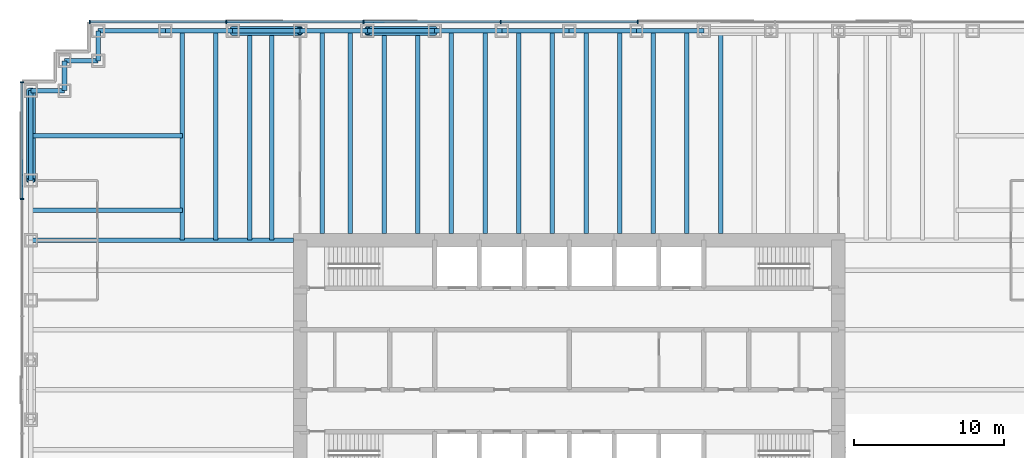
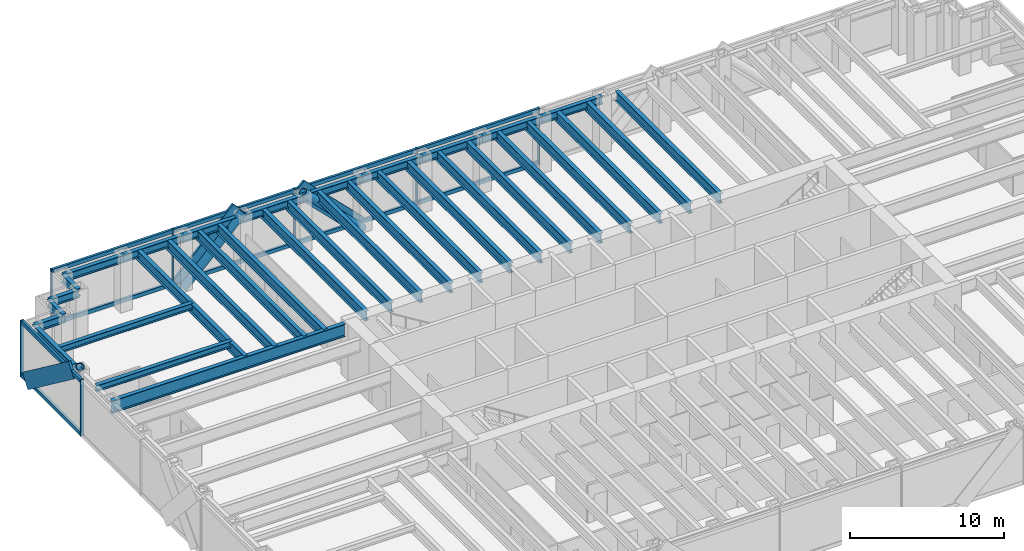
# One storey, part 5 of 13: 34 beams, 23 members, 2 elements without a shape of their own.
"""IFC4 building model written with IfcOpenShell, lengths in metres."""

from ifc_helpers import new_model, si_unit, direction, frame, origin, origin_2d, place, context, subcontext, project, spatial, rectangle, hollow_circle, i_section, extrude, material, material_profile, profile_set, type_object, element, aggregate, save


model = new_model("IFC4")

# Units and contexts
model_context = context("Model", 3, precision=1e-05, world=origin(), true_north=direction((0.0, 1.0)))
body_context = subcontext(model_context, "Body", "Model", "MODEL_VIEW")
ifc_project = project(units=[si_unit("LENGTHUNIT", "METRE"), si_unit("AREAUNIT", "SQUARE_METRE"), si_unit("VOLUMEUNIT", "CUBIC_METRE"), si_unit("PLANEANGLEUNIT", "RADIAN"), si_unit("MASSUNIT", "GRAM", prefix="KILO")], contexts=[model_context])

# Site, building, storey
site_placement = place(None, origin())
site = spatial("IfcSite", under=ifc_project, at=site_placement, CompositionType="ELEMENT")
building_placement = place(site_placement, origin())
building = spatial("IfcBuilding", under=site, at=building_placement, Name="Rheinbord Bourse Tower", CompositionType="ELEMENT")
storey_placement = place(building_placement, frame((0.0, 0.0, 41.0)))
storey = spatial("IfcBuildingStorey", under=building, at=storey_placement, Name="L08", CompositionType="ELEMENT", Elevation=41.0)

# Curtain wall, members
ifc_material_1 = material(Name="Dark glass and black aluminium", Category="aluminium")
curtain_wall_type = type_object("IfcCurtainWallType", Name="CW1 DARK GLASS CURTAIN WALL", PredefinedType="USERDEFINED", material=ifc_material_1)
curtain_wall_1_placement = place(storey_placement, origin())
curtain_wall_1 = element("IfcCurtainWall", 1, at=curtain_wall_1_placement, inside=storey, type_object=curtain_wall_type, Name="Curtain wall CW1 N L08", ObjectType="UNITISED CURTAIN WALL", PredefinedType="USERDEFINED")
ifc_material_2 = material(Name="Black anodised aluminium", Category="aluminium")
ifc_material_profile_1 = material_profile(ifc_material_2, rectangle(XDim=0.179931640625, YDim=1.2099609375, at=origin_2d()), Name="CW1 DIAGONAL MULLION 1210x180")
ifc_profile_set_1 = profile_set([ifc_material_profile_1], Name="Black anodised aluminium")
member_type_1 = type_object("IfcMemberType", Name="CW1 BLACK DIAGONAL MULLION", PredefinedType="USERDEFINED", material=ifc_profile_set_1)
member_1_placement = place(storey_placement, frame((27.0, 46.60009765625, 0.0), z_axis=(-0.707106781187, 0.0, 0.707106781187), x_axis=(0.0, -1.0, 0.0)))
member_1 = element("IfcMember", 2, at=member_1_placement, type_object=member_type_1, Name="CW1 diagonal mullion b", ObjectType="DIAGONAL MULLION", PredefinedType="USERDEFINED", context=body_context, shape_type="SweptSolid", body=[
    extrude(rectangle(XDim=0.179931640625, YDim=1.2099609375, at=origin_2d()), origin(), (0.0, 0.0, 1.0), 6.364013671875),
])
member_2_placement = place(storey_placement, frame((13.5, 46.60009765625, 0.0), z_axis=(0.707106781187, 0.0, 0.707106781187), x_axis=(0.0, 1.0, 0.0)))
member_2 = element("IfcMember", 3, at=member_2_placement, type_object=member_type_1, Name="CW1 diagonal mullion d", ObjectType="DIAGONAL MULLION", PredefinedType="USERDEFINED", context=body_context, shape_type="SweptSolid", body=[
    extrude(rectangle(XDim=0.179931640625, YDim=1.2099609375, at=origin_2d()), origin(), (0.0, 0.0, 1.0), 6.364013671875),
])

# Curtain wall, member
curtain_wall_2_placement = place(storey_placement, origin())
curtain_wall_2 = element("IfcCurtainWall", 4, at=curtain_wall_2_placement, inside=storey, type_object=curtain_wall_type, Name="Curtain wall CW1 W L08", ObjectType="UNITISED CURTAIN WALL", PredefinedType="USERDEFINED")
member_3_placement = place(storey_placement, frame((-0.60009765625, 42.0, 0.0), z_axis=(0.0, -0.8, 0.6), x_axis=(1.0, 0.0, 0.0)))
member_3 = element("IfcMember", 5, at=member_3_placement, type_object=member_type_1, Name="CW1 diagonal mullion a", ObjectType="DIAGONAL MULLION", PredefinedType="USERDEFINED", context=body_context, shape_type="SweptSolid", body=[
    extrude(rectangle(XDim=0.179931640625, YDim=1.2099609375, at=origin_2d()), origin(), (0.0, 0.0, 1.0), 7.5),
])

# Member
ifc_material_3 = material(Name="Black anodised aluminium", Category="aluminium")
ifc_material_profile_2 = material_profile(ifc_material_3, rectangle(XDim=0.25, YDim=0.080078125, at=origin_2d()), Name="CW1 MULLION 80x250")
ifc_profile_set_2 = profile_set([ifc_material_profile_2], Name="Black anodised aluminium")
member_type_2 = type_object("IfcMemberType", Name="CW1 BLACK MULLION", PredefinedType="MULLION", material=ifc_profile_set_2)
member_4_placement = place(storey_placement, frame((40.585693359375, 46.60009765625, 0.0), z_axis=(0.0, 0.0, 1.0), x_axis=(0.0, -1.0, 0.0)))
member_4 = element("IfcMember", 6, at=member_4_placement, type_object=member_type_2, Name="CW1 mullion 4", PredefinedType="MULLION", context=body_context, shape_type="SweptSolid", body=[
    extrude(rectangle(XDim=0.25, YDim=0.080078125, at=origin_2d()), origin(), (0.0, 0.0, 1.0), 4.5),
])

member_5_placement = place(storey_placement, frame((31.414306640625, 46.60009765625, 0.0), z_axis=(0.0, 0.0, 1.0), x_axis=(0.0, -1.0, 0.0)))
member_5 = element("IfcMember", 7, at=member_5_placement, type_object=member_type_2, Name="CW1 mullion 5", PredefinedType="MULLION", context=body_context, shape_type="SweptSolid", body=[
    extrude(rectangle(XDim=0.25, YDim=0.080078125, at=origin_2d()), origin(), (0.0, 0.0, 1.0), 4.5),
])

member_6_placement = place(storey_placement, frame((22.242919921875, 46.60009765625, 0.0), z_axis=(0.0, 0.0, 1.0), x_axis=(0.0, -1.0, 0.0)))
member_6 = element("IfcMember", 8, at=member_6_placement, type_object=member_type_2, Name="CW1 mullion 6", PredefinedType="MULLION", context=body_context, shape_type="SweptSolid", body=[
    extrude(rectangle(XDim=0.25, YDim=0.080078125, at=origin_2d()), origin(), (0.0, 0.0, 1.0), 4.5),
])

member_7_placement = place(storey_placement, frame((13.071533203125, 46.60009765625, 0.0), z_axis=(0.0, 0.0, 1.0), x_axis=(0.0, -1.0, 0.0)))
member_7 = element("IfcMember", 9, at=member_7_placement, type_object=member_type_2, Name="CW1 mullion 7", PredefinedType="MULLION", context=body_context, shape_type="SweptSolid", body=[
    extrude(rectangle(XDim=0.25, YDim=0.080078125, at=origin_2d()), origin(), (0.0, 0.0, 1.0), 4.5),
])

member_8_placement = place(storey_placement, frame((3.93994140625, 46.60009765625, 0.0), z_axis=(0.0, 0.0, 1.0), x_axis=(0.0, -1.0, 0.0)))
member_8 = element("IfcMember", 10, at=member_8_placement, type_object=member_type_2, Name="CW1 mullion 8", PredefinedType="MULLION", context=body_context, shape_type="SweptSolid", body=[
    extrude(rectangle(XDim=0.25, YDim=0.080078125, at=origin_2d()), origin(), (0.0, 0.0, 1.0), 4.5),
])

member_9_placement = place(storey_placement, frame((-0.60009765625, 42.56005859375, 0.0), z_axis=(0.0, 0.0, 1.0), x_axis=(1.0, 0.0, 0.0)))
member_9 = element("IfcMember", 11, at=member_9_placement, type_object=member_type_2, Name="CW1 mullion 1", PredefinedType="MULLION", context=body_context, shape_type="SweptSolid", body=[
    extrude(rectangle(XDim=0.25, YDim=0.080078125, at=origin_2d()), origin(), (0.0, 0.0, 1.0), 4.5),
])

member_10_placement = place(storey_placement, frame((-0.60009765625, 34.760009765625, 0.0), z_axis=(0.0, 0.0, 1.0), x_axis=(1.0, 0.0, 0.0)))
member_10 = element("IfcMember", 12, at=member_10_placement, type_object=member_type_2, Name="CW1 mullion 2", PredefinedType="MULLION", context=body_context, shape_type="SweptSolid", body=[
    extrude(rectangle(XDim=0.25, YDim=0.080078125, at=origin_2d()), origin(), (0.0, 0.0, 1.0), 4.5),
])

ifc_material_4 = material(Name="Black anodised aluminium", Category="aluminium")
ifc_material_profile_3 = material_profile(ifc_material_4, rectangle(XDim=0.179931640625, YDim=0.300048828125, at=origin_2d()), Name="CW1 TRANSOM 300x180")
ifc_profile_set_3 = profile_set([ifc_material_profile_3], Name="Black anodised aluminium")
member_type_3 = type_object("IfcMemberType", Name="CW1 BLACK TRANSOM", PredefinedType="USERDEFINED", material=ifc_profile_set_3)
member_11_placement = place(storey_placement, frame((40.545654296875, 46.60009765625, 0.14990234375), z_axis=(-1.0, 0.0, 0.0), x_axis=(0.0, -1.0, 0.0)))
member_11 = element("IfcMember", 13, at=member_11_placement, type_object=member_type_3, Name="CW1 transom 4.1", ObjectType="TRANSOM", PredefinedType="USERDEFINED", context=body_context, shape_type="SweptSolid", body=[
    extrude(rectangle(XDim=0.179931640625, YDim=0.300048828125, at=origin_2d()), origin(), (0.0, 0.0, 1.0), 9.09130859375),
])

member_12_placement = place(storey_placement, frame((40.545654296875, 46.60009765625, 4.35009765625), z_axis=(-1.0, 0.0, 0.0), x_axis=(0.0, -1.0, 0.0)))
member_12 = element("IfcMember", 14, at=member_12_placement, type_object=member_type_3, Name="CW1 transom 4.2", ObjectType="TRANSOM", PredefinedType="USERDEFINED", context=body_context, shape_type="SweptSolid", body=[
    extrude(rectangle(XDim=0.179931640625, YDim=0.300048828125, at=origin_2d()), origin(), (0.0, 0.0, 1.0), 9.09130859375),
])

member_13_placement = place(storey_placement, frame((31.374267578125, 46.60009765625, 0.14990234375), z_axis=(-1.0, 0.0, 0.0), x_axis=(0.0, -1.0, 0.0)))
member_13 = element("IfcMember", 15, at=member_13_placement, type_object=member_type_3, Name="CW1 transom 5.1", ObjectType="TRANSOM", PredefinedType="USERDEFINED", context=body_context, shape_type="SweptSolid", body=[
    extrude(rectangle(XDim=0.179931640625, YDim=0.300048828125, at=origin_2d()), origin(), (0.0, 0.0, 1.0), 9.09130859375),
])

member_14_placement = place(storey_placement, frame((31.374267578125, 46.60009765625, 4.35009765625), z_axis=(-1.0, 0.0, 0.0), x_axis=(0.0, -1.0, 0.0)))
member_14 = element("IfcMember", 16, at=member_14_placement, type_object=member_type_3, Name="CW1 transom 5.2", ObjectType="TRANSOM", PredefinedType="USERDEFINED", context=body_context, shape_type="SweptSolid", body=[
    extrude(rectangle(XDim=0.179931640625, YDim=0.300048828125, at=origin_2d()), origin(), (0.0, 0.0, 1.0), 9.09130859375),
])

member_15_placement = place(storey_placement, frame((22.202880859375, 46.60009765625, 0.14990234375), z_axis=(-1.0, 0.0, 0.0), x_axis=(0.0, -1.0, 0.0)))
member_15 = element("IfcMember", 17, at=member_15_placement, type_object=member_type_3, Name="CW1 transom 6.1", ObjectType="TRANSOM", PredefinedType="USERDEFINED", context=body_context, shape_type="SweptSolid", body=[
    extrude(rectangle(XDim=0.179931640625, YDim=0.300048828125, at=origin_2d()), origin(), (0.0, 0.0, 1.0), 9.091552734375),
])

member_16_placement = place(storey_placement, frame((22.202880859375, 46.60009765625, 4.35009765625), z_axis=(-1.0, 0.0, 0.0), x_axis=(0.0, -1.0, 0.0)))
member_16 = element("IfcMember", 18, at=member_16_placement, type_object=member_type_3, Name="CW1 transom 6.2", ObjectType="TRANSOM", PredefinedType="USERDEFINED", context=body_context, shape_type="SweptSolid", body=[
    extrude(rectangle(XDim=0.179931640625, YDim=0.300048828125, at=origin_2d()), origin(), (0.0, 0.0, 1.0), 9.091552734375),
])

member_17_placement = place(storey_placement, frame((13.031494140625, 46.60009765625, 0.14990234375), z_axis=(-1.0, 0.0, 0.0), x_axis=(0.0, -1.0, 0.0)))
member_17 = element("IfcMember", 19, at=member_17_placement, type_object=member_type_3, Name="CW1 transom 7.1", ObjectType="TRANSOM", PredefinedType="USERDEFINED", context=body_context, shape_type="SweptSolid", body=[
    extrude(rectangle(XDim=0.179931640625, YDim=0.300048828125, at=origin_2d()), origin(), (0.0, 0.0, 1.0), 9.051513671875),
])

member_18_placement = place(storey_placement, frame((13.031494140625, 46.60009765625, 4.35009765625), z_axis=(-1.0, 0.0, 0.0), x_axis=(0.0, -1.0, 0.0)))
member_18 = element("IfcMember", 20, at=member_18_placement, type_object=member_type_3, Name="CW1 transom 7.2", ObjectType="TRANSOM", PredefinedType="USERDEFINED", context=body_context, shape_type="SweptSolid", body=[
    extrude(rectangle(XDim=0.179931640625, YDim=0.300048828125, at=origin_2d()), origin(), (0.0, 0.0, 1.0), 9.051513671875),
])

aggregate(curtain_wall_1, [member_4, member_5, member_6, member_7, member_8, member_11, member_12, member_13, member_14, member_15, member_16, member_17, member_18, member_1, member_2])

member_19_placement = place(storey_placement, frame((-0.60009765625, 42.52001953125, 0.14990234375), z_axis=(0.0, -1.0, 0.0), x_axis=(1.0, 0.0, 0.0)))
member_19 = element("IfcMember", 21, at=member_19_placement, type_object=member_type_3, Name="CW1 transom 1.1", ObjectType="TRANSOM", PredefinedType="USERDEFINED", context=body_context, shape_type="SweptSolid", body=[
    extrude(rectangle(XDim=0.179931640625, YDim=0.300048828125, at=origin_2d()), origin(), (0.0, 0.0, 1.0), 7.719970703125),
])

member_20_placement = place(storey_placement, frame((-0.60009765625, 42.52001953125, 4.35009765625), z_axis=(0.0, -1.0, 0.0), x_axis=(1.0, 0.0, 0.0)))
member_20 = element("IfcMember", 22, at=member_20_placement, type_object=member_type_3, Name="CW1 transom 1.2", ObjectType="TRANSOM", PredefinedType="USERDEFINED", context=body_context, shape_type="SweptSolid", body=[
    extrude(rectangle(XDim=0.179931640625, YDim=0.300048828125, at=origin_2d()), origin(), (0.0, 0.0, 1.0), 7.719970703125),
])

aggregate(curtain_wall_2, [member_9, member_10, member_19, member_20, member_3])

# Beams
ifc_material_5 = material(Name="Steel S460", Category="steel")
ifc_material_profile_4 = material_profile(ifc_material_5, i_section(OverallWidth=0.300048828125, OverallDepth=0.800048828125, WebThickness=0.017578125, FlangeThickness=0.032958984375, at=origin_2d()), Name="HEB 800")
ifc_profile_set_4 = profile_set([ifc_material_profile_4], Name="Steel S460")
beam_type_1 = type_object("IfcBeamType", Name="FLOOR BEAM HEB 800", PredefinedType="BEAM", material=ifc_profile_set_4)
for number, where, z_axis, x_axis, name in (
    (23, (10.125, 46.0, 3.919921875), (0.0, -1.0, 0.0), (1.0, 0.0, 0.0), "Floor beam N-9a L09"),
    (24, (12.375, 46.0, 3.919921875), (0.0, -1.0, 0.0), (1.0, 0.0, 0.0), "Floor beam N-9b L09"),
    (25, (14.625, 46.0, 3.919921875), (0.0, -1.0, 0.0), (1.0, 0.0, 0.0), "Floor beam N-13.5a L09"),
    (26, (16.125, 46.0, 3.919921875), (0.0, -1.0, 0.0), (1.0, 0.0, 0.0), "Floor beam N-13.5b L09"),
):
    element("IfcBeam", number, at=place(storey_placement, frame(where, z_axis=z_axis, x_axis=x_axis)), inside=storey, type_object=beam_type_1, Name=name, PredefinedType="BEAM", context=body_context, shape_type="SweptSolid", body=[
        extrude(i_section(OverallWidth=0.300048828125, OverallDepth=0.800048828125, WebThickness=0.017578125, FlangeThickness=0.032958984375, at=origin_2d()), origin(), (0.0, 0.0, 1.0), 14.0),
    ])
for number, where, z_axis, x_axis, name in (
    (27, (19.5, 46.0, 3.919921875), (0.0, -1.0, 0.0), (1.0, 0.0, 0.0), "Floor beam N-18a L09"),
    (28, (21.375, 46.0, 3.919921875), (0.0, -1.0, 0.0), (1.0, 0.0, 0.0), "Floor beam N-18b L09"),
    (29, (23.625, 46.0, 3.919921875), (0.0, -1.0, 0.0), (1.0, 0.0, 0.0), "Floor beam N-22.5a L09"),
    (30, (25.875, 46.0, 3.919921875), (0.0, -1.0, 0.0), (1.0, 0.0, 0.0), "Floor beam N-22.5b L09"),
    (31, (28.125, 46.0, 3.919921875), (0.0, -1.0, 0.0), (1.0, 0.0, 0.0), "Floor beam N-27a L09"),
    (32, (30.375, 46.0, 3.919921875), (0.0, -1.0, 0.0), (1.0, 0.0, 0.0), "Floor beam N-27b L09"),
    (33, (32.625, 46.0, 3.919921875), (0.0, -1.0, 0.0), (1.0, 0.0, 0.0), "Floor beam N-31.5a L09"),
    (34, (34.875, 46.0, 3.919921875), (0.0, -1.0, 0.0), (1.0, 0.0, 0.0), "Floor beam N-31.5b L09"),
    (35, (37.125, 46.0, 3.919921875), (0.0, -1.0, 0.0), (1.0, 0.0, 0.0), "Floor beam N-36a L09"),
    (36, (39.375, 46.0, 3.919921875), (0.0, -1.0, 0.0), (1.0, 0.0, 0.0), "Floor beam N-36b L09"),
    (37, (41.625, 46.0, 3.919921875), (0.0, -1.0, 0.0), (1.0, 0.0, 0.0), "Floor beam N-40.5a L09"),
    (38, (43.875, 46.0, 3.919921875), (0.0, -1.0, 0.0), (1.0, 0.0, 0.0), "Floor beam N-40.5b L09"),
    (39, (46.125, 46.0, 3.919921875), (0.0, -1.0, 0.0), (1.0, 0.0, 0.0), "Floor beam N-45a L09"),
):
    element("IfcBeam", number, at=place(storey_placement, frame(where, z_axis=z_axis, x_axis=x_axis)), inside=storey, type_object=beam_type_1, Name=name, PredefinedType="BEAM", context=body_context, shape_type="SweptSolid", body=[
        extrude(i_section(OverallWidth=0.300048828125, OverallDepth=0.800048828125, WebThickness=0.017578125, FlangeThickness=0.032958984375, at=origin_2d()), origin(), (0.0, 0.0, 1.0), 13.550048828125),
    ])
ifc_material_6 = material(Name="Steel S460", Category="steel")
ifc_material_profile_5 = material_profile(ifc_material_6, i_section(OverallWidth=0.302001953125, OverallDepth=1.008056640625, WebThickness=0.02099609375, FlangeThickness=0.0400390625, at=origin_2d()), Name="HEM 1000")
ifc_profile_set_5 = profile_set([ifc_material_profile_5], Name="Steel S460")
beam_type_2 = type_object("IfcBeamType", Name="GIRDER HEM 1000", PredefinedType="BEAM", material=ifc_profile_set_5)
beam_1_placement = place(storey_placement, frame((0.0, 32.0, 3.81591796875), z_axis=(1.0, 0.0, 0.0), x_axis=(0.0, 1.0, 0.0)))
element("IfcBeam", 40, at=beam_1_placement, inside=storey, type_object=beam_type_2, Name="Girder west 32 L09", PredefinedType="BEAM", context=body_context, shape_type="SweptSolid", body=[
    extrude(i_section(OverallWidth=0.302001953125, OverallDepth=1.008056640625, WebThickness=0.02099609375, FlangeThickness=0.0400390625, at=origin_2d()), origin(), (0.0, 0.0, 1.0), 17.550048828125),
])

# Members
ifc_material_7 = material(Name="Steel S460", Category="steel")
ifc_material_profile_6 = material_profile(ifc_material_7, hollow_circle(Radius=0.304931640625, WallThickness=0.050048828125, at=origin_2d()), Name="CHS 610x50")
ifc_profile_set_6 = profile_set([ifc_material_profile_6], Name="Steel S460")
member_type_4 = type_object("IfcMemberType", Name="MEGABRACE CHS 610x50", PredefinedType="BRACE", material=ifc_profile_set_6)
for number, where, z_axis, x_axis, name in (
    (41, (27.0, 46.0, 0.0), (-0.707106781187, 0.0, 0.707106781187), (0.0, -1.0, 0.0), "Megabrace N face line b L08"),
    (42, (13.5, 46.0, 0.0), (0.707106781187, 0.0, 0.707106781187), (0.0, 1.0, 0.0), "Megabrace N face line d L08"),
):
    element("IfcMember", number, at=place(storey_placement, frame(where, z_axis=z_axis, x_axis=x_axis)), inside=storey, type_object=member_type_4, Name=name, PredefinedType="BRACE", context=body_context, shape_type="SweptSolid", body=[
        extrude(hollow_circle(Radius=0.304931640625, WallThickness=0.050048828125, at=origin_2d()), origin(), (0.0, 0.0, 1.0), 6.364013671875),
    ])
member_21_placement = place(storey_placement, frame((0.0, 42.0, 0.0), z_axis=(0.0, -0.8, 0.6), x_axis=(1.0, 0.0, 0.0)))
element("IfcMember", 43, at=member_21_placement, inside=storey, type_object=member_type_4, Name="Megabrace W face line a L08", PredefinedType="BRACE", context=body_context, shape_type="SweptSolid", body=[
    extrude(hollow_circle(Radius=0.304931640625, WallThickness=0.050048828125, at=origin_2d()), origin(), (0.0, 0.0, 1.0), 7.5),
])

# Beams
ifc_material_8 = material(Name="Steel S460", Category="steel")
ifc_material_profile_7 = material_profile(ifc_material_8, i_section(OverallWidth=0.304931640625, OverallDepth=0.6201171875, WebThickness=0.02099609375, FlangeThickness=0.0400390625, at=origin_2d()), Name="HEM 600")
ifc_profile_set_7 = profile_set([ifc_material_profile_7], Name="Steel S460")
beam_type_3 = type_object("IfcBeamType", Name="SPANDREL HEM 600", PredefinedType="SPANDREL", material=ifc_profile_set_7)
for number, where, z_axis, x_axis, name in (
    (44, (45.0, 46.0, 4.010009765625), (-1.0, 0.0, 0.0), (0.0, -1.0, 0.0), "Spandrel N-45-N-40.5 under L09"),
    (45, (40.5, 46.0, 4.010009765625), (-1.0, 0.0, 0.0), (0.0, -1.0, 0.0), "Spandrel N-40.5-N-36 under L09"),
    (46, (36.0, 46.0, 4.010009765625), (-1.0, 0.0, 0.0), (0.0, -1.0, 0.0), "Spandrel N-36-N-31.5 under L09"),
    (47, (31.5, 46.0, 4.010009765625), (-1.0, 0.0, 0.0), (0.0, -1.0, 0.0), "Spandrel N-31.5-N-27 under L09"),
    (48, (27.0, 46.0, 4.010009765625), (-1.0, 0.0, 0.0), (0.0, -1.0, 0.0), "Spandrel N-27-N-22.5 under L09"),
    (49, (22.5, 46.0, 4.010009765625), (-1.0, 0.0, 0.0), (0.0, -1.0, 0.0), "Spandrel N-22.5-N-18 under L09"),
    (50, (18.0, 46.0, 4.010009765625), (-1.0, 0.0, 0.0), (0.0, -1.0, 0.0), "Spandrel N-18-N-13.5 under L09"),
    (51, (13.5, 46.0, 4.010009765625), (-1.0, 0.0, 0.0), (0.0, -1.0, 0.0), "Spandrel N-13.5-N-9 under L09"),
    (52, (9.0, 46.0, 4.010009765625), (-1.0, 0.0, 0.0), (0.0, -1.0, 0.0), "Spandrel N-9-NW-E under L09"),
):
    element("IfcBeam", number, at=place(storey_placement, frame(where, z_axis=z_axis, x_axis=x_axis)), inside=storey, type_object=beam_type_3, Name=name, PredefinedType="SPANDREL", context=body_context, shape_type="SweptSolid", body=[
        extrude(i_section(OverallWidth=0.304931640625, OverallDepth=0.6201171875, WebThickness=0.02099609375, FlangeThickness=0.0400390625, at=origin_2d()), origin(), (0.0, 0.0, 1.0), 4.5),
    ])
beam_2_placement = place(storey_placement, frame((4.5, 46.0, 4.010009765625), z_axis=(0.0, -1.0, 0.0), x_axis=(1.0, 0.0, 0.0)))
element("IfcBeam", 53, at=beam_2_placement, inside=storey, type_object=beam_type_3, Name="Spandrel NW-E-NW-D under L09", PredefinedType="SPANDREL", context=body_context, shape_type="SweptSolid", body=[
    extrude(i_section(OverallWidth=0.304931640625, OverallDepth=0.6201171875, WebThickness=0.02099609375, FlangeThickness=0.0400390625, at=origin_2d()), origin(), (0.0, 0.0, 1.0), 2.0),
])
beam_3_placement = place(storey_placement, frame((4.5, 44.0, 4.010009765625), z_axis=(-1.0, 0.0, 0.0), x_axis=(0.0, -1.0, 0.0)))
element("IfcBeam", 54, at=beam_3_placement, inside=storey, type_object=beam_type_3, Name="Spandrel NW-D-NW-C under L09", PredefinedType="SPANDREL", context=body_context, shape_type="SweptSolid", body=[
    extrude(i_section(OverallWidth=0.304931640625, OverallDepth=0.6201171875, WebThickness=0.02099609375, FlangeThickness=0.0400390625, at=origin_2d()), origin(), (0.0, 0.0, 1.0), 2.25),
])
beam_4_placement = place(storey_placement, frame((2.25, 44.0, 4.010009765625), z_axis=(0.0, -1.0, 0.0), x_axis=(1.0, 0.0, 0.0)))
element("IfcBeam", 55, at=beam_4_placement, inside=storey, type_object=beam_type_3, Name="Spandrel NW-C-NW-B under L09", PredefinedType="SPANDREL", context=body_context, shape_type="SweptSolid", body=[
    extrude(i_section(OverallWidth=0.304931640625, OverallDepth=0.6201171875, WebThickness=0.02099609375, FlangeThickness=0.0400390625, at=origin_2d()), origin(), (0.0, 0.0, 1.0), 2.0),
])
beam_5_placement = place(storey_placement, frame((2.25, 42.0, 4.010009765625), z_axis=(-1.0, 0.0, 0.0), x_axis=(0.0, -1.0, 0.0)))
element("IfcBeam", 56, at=beam_5_placement, inside=storey, type_object=beam_type_3, Name="Spandrel NW-B-NW-A under L09", PredefinedType="SPANDREL", context=body_context, shape_type="SweptSolid", body=[
    extrude(i_section(OverallWidth=0.304931640625, OverallDepth=0.6201171875, WebThickness=0.02099609375, FlangeThickness=0.0400390625, at=origin_2d()), origin(), (0.0, 0.0, 1.0), 2.25),
])
beam_6_placement = place(storey_placement, frame((0.0, 42.0, 4.010009765625), z_axis=(0.0, -1.0, 0.0), x_axis=(1.0, 0.0, 0.0)))
element("IfcBeam", 57, at=beam_6_placement, inside=storey, type_object=beam_type_3, Name="Spandrel NW-A-W-36 under L09", PredefinedType="SPANDREL", context=body_context, shape_type="SweptSolid", body=[
    extrude(i_section(OverallWidth=0.304931640625, OverallDepth=0.6201171875, WebThickness=0.02099609375, FlangeThickness=0.0400390625, at=origin_2d()), origin(), (0.0, 0.0, 1.0), 6.0),
])
ifc_material_9 = material(Name="Steel S460", Category="steel")
ifc_material_profile_8 = material_profile(ifc_material_9, i_section(OverallWidth=0.300048828125, OverallDepth=0.5, WebThickness=0.014404296875, FlangeThickness=0.028076171875, at=origin_2d()), Name="HEB 500")
ifc_profile_set_8 = profile_set([ifc_material_profile_8], Name="Steel S460")
beam_type_4 = type_object("IfcBeamType", Name="TIE BEAM HEB 500", PredefinedType="JOIST", material=ifc_profile_set_8)
for number, where, z_axis, x_axis, name in (
    (58, (0.0, 34.0, 4.070068359375), (1.0, 0.0, 0.0), (0.0, 1.0, 0.0), "Tie west 34 L09"),
    (59, (0.0, 39.0, 4.070068359375), (1.0, 0.0, 0.0), (0.0, 1.0, 0.0), "Tie west 39 L09"),
):
    element("IfcBeam", number, at=place(storey_placement, frame(where, z_axis=z_axis, x_axis=x_axis)), inside=storey, type_object=beam_type_4, Name=name, PredefinedType="JOIST", context=body_context, shape_type="SweptSolid", body=[
        extrude(i_section(OverallWidth=0.300048828125, OverallDepth=0.5, WebThickness=0.014404296875, FlangeThickness=0.028076171875, at=origin_2d()), origin(), (0.0, 0.0, 1.0), 10.125),
    ])

save(model, "model.ifc")
